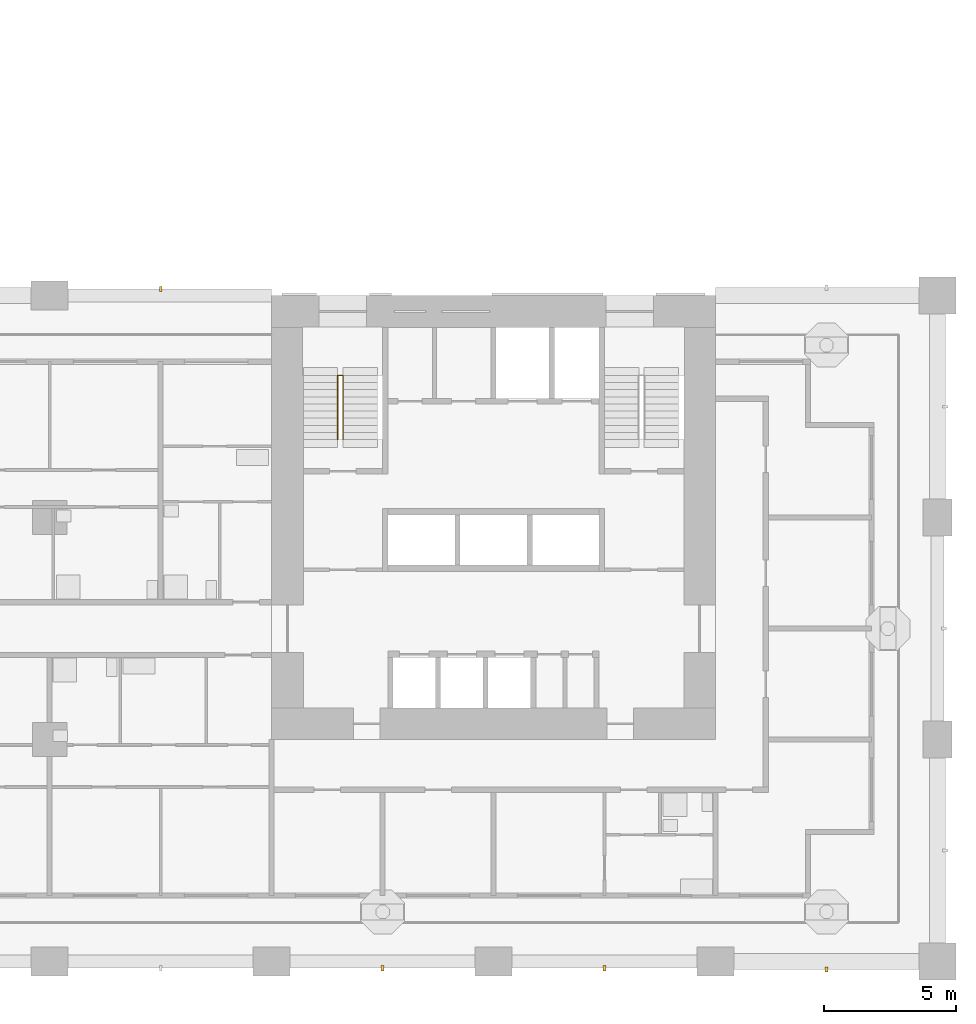
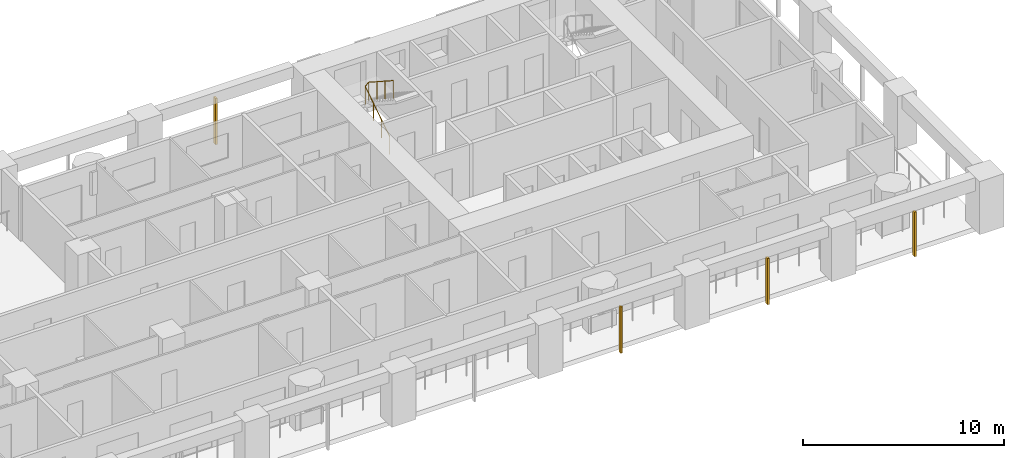
# One storey, part 12 of 20: 4 shading devices, 1 railing.
"""IFC4 building model written with IfcOpenShell, lengths in metres."""

from ifc_helpers import new_model, si_unit, direction, frame, origin, origin_2d, place, context, subcontext, project, spatial, rectangle, circle, extrude, material, material_profile, profile_set, type_object, element, save


model = new_model("IFC4")

# Units and contexts
model_context = context("Model", 3, precision=1e-05, world=origin(), true_north=direction((0.0, 1.0)))
body_context = subcontext(model_context, "Body", "Model", "MODEL_VIEW")
ifc_project = project(units=[si_unit("LENGTHUNIT", "METRE"), si_unit("AREAUNIT", "SQUARE_METRE"), si_unit("VOLUMEUNIT", "CUBIC_METRE"), si_unit("PLANEANGLEUNIT", "RADIAN"), si_unit("MASSUNIT", "GRAM", prefix="KILO")], contexts=[model_context])

# Site, building, storey
site_placement = place(None, origin())
site = spatial("IfcSite", under=ifc_project, at=site_placement, CompositionType="ELEMENT")
building_placement = place(site_placement, origin())
building = spatial("IfcBuilding", under=site, at=building_placement, Name="Vermilion Gate Residences", CompositionType="ELEMENT")
storey_placement = place(building_placement, frame((0.0, 0.0, 42.699951171875)))
storey = spatial("IfcBuildingStorey", under=building, at=storey_placement, Name="L09", CompositionType="ELEMENT", Elevation=42.699951171875)

# Railing
ifc_material_1 = material(Name="Steel S355", Category="steel")
railing_type = type_object("IfcRailingType", Name="STAIR GUARD 1100 STEEL", PredefinedType="GUARDRAIL", material=ifc_material_1)
railing_placement = place(storey_placement, frame((44.5, 19.75, 0.175048828125)))
element("IfcRailing", 1, at=railing_placement, inside=storey, type_object=railing_type, Name="Stair well guard STA1-09", PredefinedType="GUARDRAIL", context=body_context, shape_type="SweptSolid", body=[
    extrude(circle(Radius=0.02392578125, at=origin_2d()), frame((0.0, 0.0, 1.076171875), z_axis=(0.0, 0.839153699163, 0.543894354798), x_axis=(-1.0, 0.0, 0.0)), (0.0, 0.0, 1.0), 2.895751953125),
    extrude(circle(Radius=0.02392578125, at=origin_2d()), frame((0.0, 2.429931640625, 2.65087890625), z_axis=(0.752405939678, 0.0, 0.658699705433), x_axis=(0.0, 1.0, 0.0)), (0.0, 0.0, 1.0), 0.265869140625),
    extrude(circle(Radius=0.02392578125, at=origin_2d()), frame((0.199951171875, 2.429931640625, 2.826171875), z_axis=(0.0, -0.839153699163, 0.543894354798), x_axis=(1.0, 0.0, 0.0)), (0.0, 0.0, 1.0), 2.895751953125),
    extrude(circle(Radius=0.02099609375, at=origin_2d()), origin(), (0.0, 0.0, 1.0), 1.052001953125),
    extrude(circle(Radius=0.02099609375, at=origin_2d()), frame((0.0, 0.81005859375, 0.52490234375)), (0.0, 0.0, 1.0), 1.052001953125),
    extrude(circle(Radius=0.02099609375, at=origin_2d()), frame((0.0, 1.619873046875, 1.050048828125)), (0.0, 0.0, 1.0), 1.052001953125),
    extrude(circle(Radius=0.02099609375, at=origin_2d()), frame((0.0, 2.429931640625, 1.574951171875)), (0.0, 0.0, 1.0), 1.052001953125),
    extrude(circle(Radius=0.02099609375, at=origin_2d()), frame((0.199951171875, 2.429931640625, 1.75)), (0.0, 0.0, 1.0), 1.052001953125),
    extrude(circle(Radius=0.02099609375, at=origin_2d()), frame((0.199951171875, 1.619873046875, 2.27490234375)), (0.0, 0.0, 1.0), 1.052001953125),
    extrude(circle(Radius=0.02099609375, at=origin_2d()), frame((0.199951171875, 0.81005859375, 2.800048828125)), (0.0, 0.0, 1.0), 1.052001953125),
    extrude(circle(Radius=0.02099609375, at=origin_2d()), frame((0.199951171875, 0.0, 3.324951171875)), (0.0, 0.0, 1.0), 1.052001953125),
])

# Shading devices
ifc_material_2 = material(Name="Extruded terracotta", Category="masonry")
ifc_material_profile = material_profile(ifc_material_2, rectangle(XDim=0.199951171875, YDim=0.10009765625, at=origin_2d()), Name="BAGUETTE 100 X 200")
ifc_profile_set = profile_set([ifc_material_profile], Name="Extruded terracotta")
shading_device_type = type_object("IfcShadingDeviceType", Name="TERRACOTTA BAGUETTE 100 X 200", PredefinedType="JALOUSIE", material=ifc_profile_set)
for number, where, z_axis, x_axis, name in (
    (2, (46.199951171875, -0.25, -0.280029296875), (0.0, 0.0, 1.0), (0.0, 1.0, 0.0), "BAGUETTE"),
    (3, (54.60009765625, -0.25, -0.280029296875), (0.0, 0.0, 1.0), (0.0, 1.0, 0.0), "BAGUETTE"),
):
    element("IfcShadingDevice", number, at=place(storey_placement, frame(where, z_axis=z_axis, x_axis=x_axis)), inside=storey, type_object=shading_device_type, Name=name, PredefinedType="JALOUSIE", context=body_context, shape_type="SweptSolid", body=[
        extrude(rectangle(XDim=0.199951171875, YDim=0.10009765625, at=origin_2d()), origin(), (0.0, 0.0, 1.0), 2.800048828125),
    ])
shading_device_1_placement = place(storey_placement, frame((63.0, -0.300048828125, -0.280029296875), z_axis=(0.0, 0.0, 1.0), x_axis=(0.0, 1.0, 0.0)))
element("IfcShadingDevice", 4, at=shading_device_1_placement, inside=storey, type_object=shading_device_type, Name="BAGUETTE", PredefinedType="JALOUSIE", context=body_context, shape_type="SweptSolid", body=[
    extrude(rectangle(XDim=0.199951171875, YDim=0.10009765625, at=origin_2d()), origin(), (0.0, 0.0, 1.0), 2.7001953125),
])
shading_device_2_placement = place(storey_placement, frame((37.800048828125, 25.449951171875, -0.280029296875), z_axis=(0.0, 0.0, 1.0), x_axis=(0.0, -1.0, 0.0)))
element("IfcShadingDevice", 5, at=shading_device_2_placement, inside=storey, type_object=shading_device_type, Name="BAGUETTE", PredefinedType="JALOUSIE", context=body_context, shape_type="SweptSolid", body=[
    extrude(rectangle(XDim=0.199951171875, YDim=0.10009765625, at=origin_2d()), origin(), (0.0, 0.0, 1.0), 2.800048828125),
])

save(model, "model.ifc")
